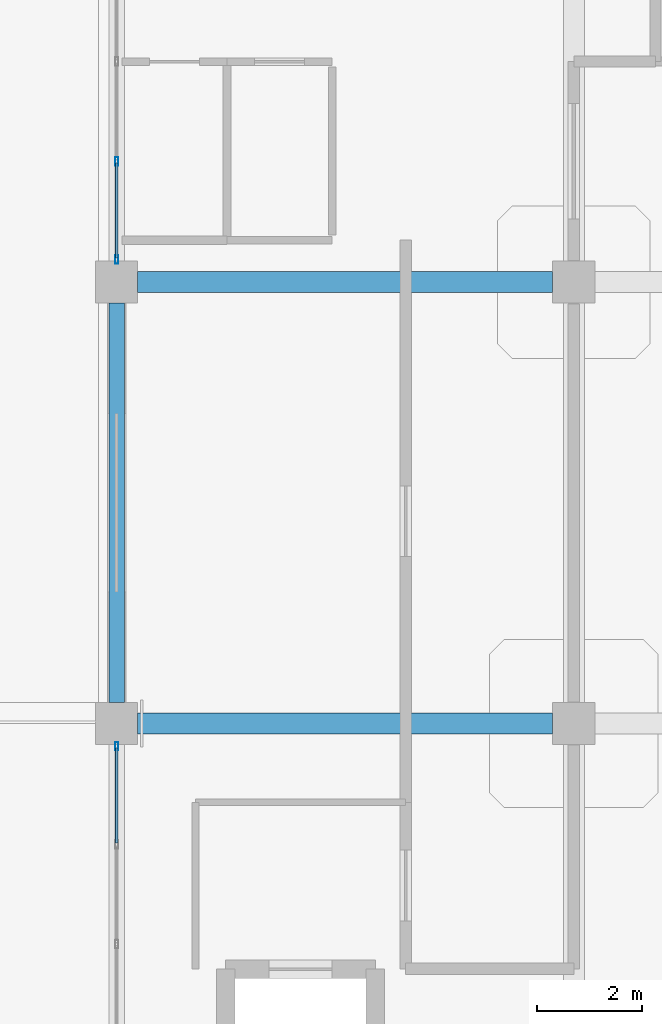
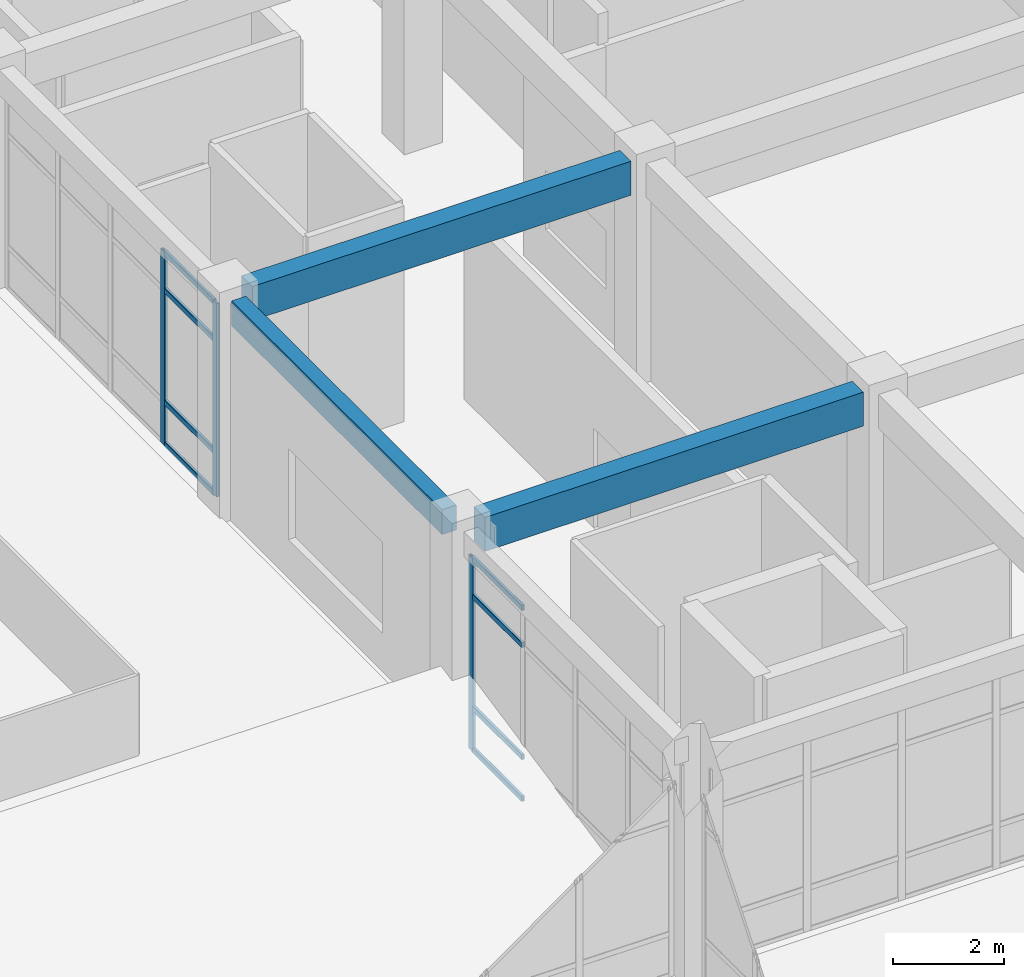
# One storey, part 62 of 124: 11 members, 3 beams, 2 elements without a shape of their own.
"""IFC4 building model written with IfcOpenShell, lengths in metres."""

from ifc_helpers import new_model, si_unit, derived_unit, direction, frame, origin, origin_2d, place, context, subcontext, project, spatial, rectangle, hollow_rectangle, extrude, material, layer, layer_set, material_profile, profile_set, type_object, element, aggregate, save


model = new_model("IFC4")

# Units and contexts
model_context = context("Model", 3, precision=1e-05, world=origin(), true_north=direction((0.0, 1.0)))
body_context = subcontext(model_context, "Body", "Model", "MODEL_VIEW")
ifc_project = project(units=[si_unit("LENGTHUNIT", "METRE"), si_unit("AREAUNIT", "SQUARE_METRE"), si_unit("VOLUMEUNIT", "CUBIC_METRE"), si_unit("PLANEANGLEUNIT", "RADIAN"), si_unit("MASSUNIT", "GRAM", prefix="KILO"), derived_unit("THERMALTRANSMITTANCEUNIT", [(si_unit("MASSUNIT", "GRAM", prefix="KILO"), 1), (si_unit("TIMEUNIT", "SECOND"), -3), (si_unit("THERMODYNAMICTEMPERATUREUNIT", "KELVIN"), -1)])], contexts=[model_context])

# Site, building, storey
site_placement = place(None, origin())
site = spatial("IfcSite", under=ifc_project, at=site_placement, CompositionType="ELEMENT")
building_placement = place(site_placement, origin())
building = spatial("IfcBuilding", under=site, at=building_placement, Name="Qinzheling Arcade Emporium", CompositionType="ELEMENT")
storey_placement = place(building_placement, frame((0.0, 0.0, 16.5)))
storey = spatial("IfcBuildingStorey", under=building, at=storey_placement, Name="L04", CompositionType="ELEMENT", Elevation=16.5)

# Curtain wall, member
ifc_material_1 = material(Name="Anodised aluminium and solar-control double glazing", Category="aluminium")
ifc_layer = layer(ifc_material_1, 0.159912109375, Name="Anodised aluminium and solar-control double glazing", Category="aluminium")
ifc_layer_set = layer_set([ifc_layer], Name="Anodised aluminium and solar-control double glazing")
curtain_wall_type = type_object("IfcCurtainWallType", Name="Arcade Portal Glazed Curtain Wall", PredefinedType="NOTDEFINED", material=ifc_layer_set)
curtain_wall_1_placement = place(storey_placement, origin())
curtain_wall_1 = element("IfcCurtainWall", 1, at=curtain_wall_1_placement, inside=storey, type_object=curtain_wall_type, Name="Curtain Wall CW-L04-260", PredefinedType="NOTDEFINED")
ifc_material_2 = material(Name="Anodised aluminium 6063-T6", Category="aluminium")
ifc_material_profile_1 = material_profile(ifc_material_2, hollow_rectangle(XDim=0.06005859375, YDim=0.159912109375, WallThickness=0.00390625, InnerFilletRadius=0.00390625, OuterFilletRadius=0.008056640625, at=origin_2d()), Name="RHS 160x60x4", Category="aluminium")
ifc_profile_set_1 = profile_set([ifc_material_profile_1], Name="Anodised aluminium 6063-T6")
member_type_1 = type_object("IfcMemberType", Name="Curtain Wall Mullion RHS160x60", PredefinedType="MULLION", material=ifc_profile_set_1)
member_1_placement = place(storey_placement, frame((104.39990234375, 81.76806640625, 0.0), z_axis=(0.0, 0.0, 1.0), x_axis=(-1.0, 0.0, 0.0)))
member_1 = element("IfcMember", 2, at=member_1_placement, type_object=member_type_1, Name="CW05 mullion 5", PredefinedType="MULLION", context=body_context, shape_type="SweptSolid", body=[
    extrude(hollow_rectangle(XDim=0.06005859375, YDim=0.159912109375, WallThickness=0.00390625, InnerFilletRadius=0.00390625, OuterFilletRadius=0.008056640625, at=origin_2d()), origin(), (0.0, 0.0, 1.0), 4.27001953125),
])

# Curtain wall, members
curtain_wall_2_placement = place(storey_placement, origin())
curtain_wall_2 = element("IfcCurtainWall", 3, at=curtain_wall_2_placement, inside=storey, type_object=curtain_wall_type, Name="Curtain Wall CW-L04-261", PredefinedType="NOTDEFINED")
member_2_placement = place(storey_placement, frame((104.39990234375, 91.031982421875, 0.0), z_axis=(0.0, 0.0, 1.0), x_axis=(-1.0, 0.0, 0.0)))
member_2 = element("IfcMember", 4, at=member_2_placement, type_object=member_type_1, Name="CW05 mullion 1", PredefinedType="MULLION", context=body_context, shape_type="SweptSolid", body=[
    extrude(hollow_rectangle(XDim=0.06005859375, YDim=0.159912109375, WallThickness=0.00390625, InnerFilletRadius=0.00390625, OuterFilletRadius=0.008056640625, at=origin_2d()), origin(), (0.0, 0.0, 1.0), 4.27001953125),
])
member_3_placement = place(storey_placement, frame((104.39990234375, 92.90087890625, 0.0), z_axis=(0.0, 0.0, 1.0), x_axis=(-1.0, 0.0, 0.0)))
member_3 = element("IfcMember", 5, at=member_3_placement, type_object=member_type_1, Name="CW05 mullion 2", PredefinedType="MULLION", context=body_context, shape_type="SweptSolid", body=[
    extrude(hollow_rectangle(XDim=0.06005859375, YDim=0.159912109375, WallThickness=0.00390625, InnerFilletRadius=0.00390625, OuterFilletRadius=0.008056640625, at=origin_2d()), origin(), (0.0, 0.0, 1.0), 4.27001953125),
])

# Member
ifc_material_profile_2 = material_profile(ifc_material_2, hollow_rectangle(XDim=0.06005859375, YDim=0.1201171875, WallThickness=0.00390625, InnerFilletRadius=0.00390625, OuterFilletRadius=0.008056640625, at=origin_2d()), Name="RHS 120x60x4", Category="aluminium")
ifc_profile_set_2 = profile_set([ifc_material_profile_2], Name="Anodised aluminium 6063-T6")
member_type_2 = type_object("IfcMemberType", Name="Curtain Wall Transom RHS120x60", PredefinedType="USERDEFINED", material=ifc_profile_set_2)
member_4_placement = place(storey_placement, frame((104.39990234375, 79.928955078125, 0.030029296875), z_axis=(0.0, 1.0, 0.0), x_axis=(-1.0, 0.0, 0.0)))
member_4 = element("IfcMember", 6, at=member_4_placement, type_object=member_type_2, Name="CW05 transom 4.1", ObjectType="TRANSOM", PredefinedType="USERDEFINED", context=body_context, shape_type="SweptSolid", body=[
    extrude(hollow_rectangle(XDim=0.06005859375, YDim=0.1201171875, WallThickness=0.00390625, InnerFilletRadius=0.00390625, OuterFilletRadius=0.008056640625, at=origin_2d()), origin(), (0.0, 0.0, 1.0), 1.80908203125),
])

member_5_placement = place(storey_placement, frame((104.39990234375, 79.928955078125, 0.949951171875), z_axis=(0.0, 1.0, 0.0), x_axis=(-1.0, 0.0, 0.0)))
member_5 = element("IfcMember", 7, at=member_5_placement, type_object=member_type_2, Name="CW05 transom 4.2", ObjectType="TRANSOM", PredefinedType="USERDEFINED", context=body_context, shape_type="SweptSolid", body=[
    extrude(hollow_rectangle(XDim=0.06005859375, YDim=0.1201171875, WallThickness=0.00390625, InnerFilletRadius=0.00390625, OuterFilletRadius=0.008056640625, at=origin_2d()), origin(), (0.0, 0.0, 1.0), 1.80908203125),
])

member_6_placement = place(storey_placement, frame((104.39990234375, 79.928955078125, 3.419921875), z_axis=(0.0, 1.0, 0.0), x_axis=(-1.0, 0.0, 0.0)))
member_6 = element("IfcMember", 8, at=member_6_placement, type_object=member_type_2, Name="CW05 transom 4.3", ObjectType="TRANSOM", PredefinedType="USERDEFINED", context=body_context, shape_type="SweptSolid", body=[
    extrude(hollow_rectangle(XDim=0.06005859375, YDim=0.1201171875, WallThickness=0.00390625, InnerFilletRadius=0.00390625, OuterFilletRadius=0.008056640625, at=origin_2d()), origin(), (0.0, 0.0, 1.0), 1.80908203125),
])

member_7_placement = place(storey_placement, frame((104.39990234375, 79.928955078125, 4.239990234375), z_axis=(0.0, 1.0, 0.0), x_axis=(-1.0, 0.0, 0.0)))
member_7 = element("IfcMember", 9, at=member_7_placement, type_object=member_type_2, Name="CW05 transom 4.4", ObjectType="TRANSOM", PredefinedType="USERDEFINED", context=body_context, shape_type="SweptSolid", body=[
    extrude(hollow_rectangle(XDim=0.06005859375, YDim=0.1201171875, WallThickness=0.00390625, InnerFilletRadius=0.00390625, OuterFilletRadius=0.008056640625, at=origin_2d()), origin(), (0.0, 0.0, 1.0), 1.80908203125),
])

aggregate(curtain_wall_1, [member_1, member_4, member_5, member_6, member_7])

member_8_placement = place(storey_placement, frame((104.39990234375, 91.06201171875, 0.030029296875), z_axis=(0.0, 1.0, 0.0), x_axis=(-1.0, 0.0, 0.0)))
member_8 = element("IfcMember", 10, at=member_8_placement, type_object=member_type_2, Name="CW05 transom 1.1", ObjectType="TRANSOM", PredefinedType="USERDEFINED", context=body_context, shape_type="SweptSolid", body=[
    extrude(hollow_rectangle(XDim=0.06005859375, YDim=0.1201171875, WallThickness=0.00390625, InnerFilletRadius=0.00390625, OuterFilletRadius=0.008056640625, at=origin_2d()), origin(), (0.0, 0.0, 1.0), 1.80908203125),
])

member_9_placement = place(storey_placement, frame((104.39990234375, 91.06201171875, 0.949951171875), z_axis=(0.0, 1.0, 0.0), x_axis=(-1.0, 0.0, 0.0)))
member_9 = element("IfcMember", 11, at=member_9_placement, type_object=member_type_2, Name="CW05 transom 1.2", ObjectType="TRANSOM", PredefinedType="USERDEFINED", context=body_context, shape_type="SweptSolid", body=[
    extrude(hollow_rectangle(XDim=0.06005859375, YDim=0.1201171875, WallThickness=0.00390625, InnerFilletRadius=0.00390625, OuterFilletRadius=0.008056640625, at=origin_2d()), origin(), (0.0, 0.0, 1.0), 1.80908203125),
])

member_10_placement = place(storey_placement, frame((104.39990234375, 91.06201171875, 3.419921875), z_axis=(0.0, 1.0, 0.0), x_axis=(-1.0, 0.0, 0.0)))
member_10 = element("IfcMember", 12, at=member_10_placement, type_object=member_type_2, Name="CW05 transom 1.3", ObjectType="TRANSOM", PredefinedType="USERDEFINED", context=body_context, shape_type="SweptSolid", body=[
    extrude(hollow_rectangle(XDim=0.06005859375, YDim=0.1201171875, WallThickness=0.00390625, InnerFilletRadius=0.00390625, OuterFilletRadius=0.008056640625, at=origin_2d()), origin(), (0.0, 0.0, 1.0), 1.80908203125),
])

member_11_placement = place(storey_placement, frame((104.39990234375, 91.06201171875, 4.239990234375), z_axis=(0.0, 1.0, 0.0), x_axis=(-1.0, 0.0, 0.0)))
member_11 = element("IfcMember", 13, at=member_11_placement, type_object=member_type_2, Name="CW05 transom 1.4", ObjectType="TRANSOM", PredefinedType="USERDEFINED", context=body_context, shape_type="SweptSolid", body=[
    extrude(hollow_rectangle(XDim=0.06005859375, YDim=0.1201171875, WallThickness=0.00390625, InnerFilletRadius=0.00390625, OuterFilletRadius=0.008056640625, at=origin_2d()), origin(), (0.0, 0.0, 1.0), 1.80908203125),
])

aggregate(curtain_wall_2, [member_2, member_3, member_8, member_9, member_10, member_11])

# Beams
ifc_material_3 = material(Name="Concrete C40", Category="concrete")
ifc_material_profile_3 = material_profile(ifc_material_3, rectangle(XDim=0.39990234375, YDim=0.75, at=origin_2d()), Name="RC 400x750", Category="concrete")
ifc_profile_set_3 = profile_set([ifc_material_profile_3], Name="Concrete C40")
beam_type_1 = type_object("IfcBeamType", Name="RC Interior Tie Beam 400x750 C40", PredefinedType="BEAM", material=ifc_profile_set_3)
for number, where, z_axis, x_axis, name in (
    (14, (104.800048828125, 82.199951171875, 4.4599609375), (1.0, 0.0, 0.0), (0.0, 1.0, 0.0), "Beam BM-L04-X-K-13"),
    (15, (104.800048828125, 90.60009765625, 4.4599609375), (1.0, 0.0, 0.0), (0.0, 1.0, 0.0), "Beam BM-L04-X-L-13"),
):
    element("IfcBeam", number, at=place(storey_placement, frame(where, z_axis=z_axis, x_axis=x_axis)), inside=storey, type_object=beam_type_1, Name=name, PredefinedType="BEAM", context=body_context, shape_type="SweptSolid", body=[
        extrude(rectangle(XDim=0.39990234375, YDim=0.75, at=origin_2d()), origin(), (0.0, 0.0, 1.0), 7.89990234375),
    ])
ifc_material_profile_4 = material_profile(ifc_material_3, rectangle(XDim=0.300048828125, YDim=0.550048828125, at=origin_2d()), Name="RC 300x550", Category="concrete")
ifc_profile_set_4 = profile_set([ifc_material_profile_4], Name="Concrete C40")
beam_type_2 = type_object("IfcBeamType", Name="RC Terrace Spandrel Beam 300x550 C40", PredefinedType="SPANDREL", material=ifc_profile_set_4)
beam_placement = place(storey_placement, frame((104.39990234375, 82.60009765625, 4.56005859375), z_axis=(0.0, 1.0, 0.0), x_axis=(-1.0, 0.0, 0.0)))
element("IfcBeam", 16, at=beam_placement, inside=storey, type_object=beam_type_2, Name="Beam BM-L04-Y-13-K", PredefinedType="SPANDREL", context=body_context, shape_type="SweptSolid", body=[
    extrude(rectangle(XDim=0.300048828125, YDim=0.550048828125, at=origin_2d()), origin(), (0.0, 0.0, 1.0), 7.599853515625),
])

save(model, "model.ifc")
